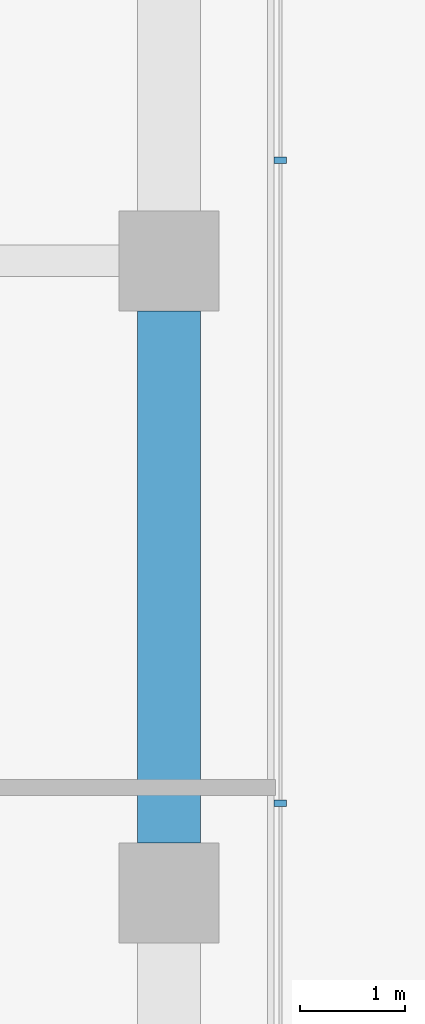
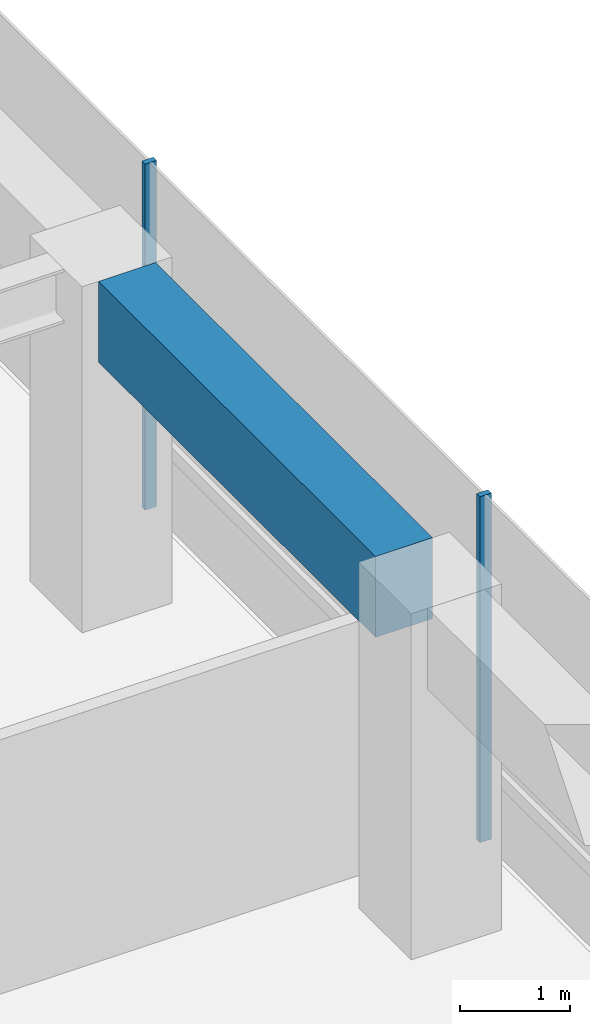
# One storey, part 18 of 28: 2 members, 1 beam, 1 element without a shape of its own.
"""IFC4 building model written with IfcOpenShell, lengths in metres."""

from ifc_helpers import new_model, si_unit, direction, frame, origin, origin_2d, place, context, subcontext, project, spatial, rectangle, extrude, material, layer, layer_set, material_profile, profile_set, type_object, element, aggregate, save


model = new_model("IFC4")

# Units and contexts
model_context = context("Model", 3, precision=1e-05, world=origin(), true_north=direction((0.0, 1.0)))
body_context = subcontext(model_context, "Body", "Model", "MODEL_VIEW")
ifc_project = project(units=[si_unit("LENGTHUNIT", "METRE"), si_unit("AREAUNIT", "SQUARE_METRE"), si_unit("VOLUMEUNIT", "CUBIC_METRE"), si_unit("PLANEANGLEUNIT", "RADIAN"), si_unit("MASSUNIT", "GRAM", prefix="KILO")], contexts=[model_context])

# Site, building, storey
site_placement = place(None, origin())
site = spatial("IfcSite", under=ifc_project, at=site_placement, CompositionType="ELEMENT")
building_placement = place(site_placement, origin())
building = spatial("IfcBuilding", under=site, at=building_placement, Name="Welwitschia Terrace Campus", CompositionType="ELEMENT")
storey_placement = place(building_placement, frame((0.0, 0.0, 54.199951171875)))
storey = spatial("IfcBuildingStorey", under=building, at=storey_placement, Name="L12", CompositionType="ELEMENT", Elevation=54.199951171875)

# Curtain wall, members
ifc_material_1 = material(Name="Bronze anodised aluminium", Category="aluminium")
ifc_layer = layer(ifc_material_1, 0.1201171875)
ifc_layer_set = layer_set([ifc_layer], Name="Bronze anodised aluminium")
curtain_wall_type = type_object("IfcCurtainWallType", Name="Curtain wall CW2 tower 6000", PredefinedType="NOTDEFINED", material=ifc_layer_set)
curtain_wall_placement = place(storey_placement, origin())
curtain_wall = element("IfcCurtainWall", 1, at=curtain_wall_placement, inside=storey, type_object=curtain_wall_type, Name="CW L12.10.0", PredefinedType="NOTDEFINED")
ifc_material_2 = material(Name="Bronze anodised aluminium", Category="aluminium")
ifc_material_profile_1 = material_profile(ifc_material_2, rectangle(XDim=0.1201171875, YDim=0.06005859375, at=origin_2d()))
ifc_profile_set_1 = profile_set([ifc_material_profile_1], Name="Bronze anodised aluminium")
member_type = type_object("IfcMemberType", Name="Mullion 60x120", PredefinedType="MULLION", material=ifc_profile_set_1)
member_1_placement = place(storey_placement, frame((25.05810546875, 50.851806640625, 0.0), z_axis=(0.0, 0.0, 1.0), x_axis=(-1.0, 0.0, 0.0)))
member_1 = element("IfcMember", 2, at=member_1_placement, type_object=member_type, Name="Mullion L12.10.0.4", PredefinedType="MULLION", context=body_context, shape_type="SweptSolid", body=[
    extrude(rectangle(XDim=0.1201171875, YDim=0.06005859375, at=origin_2d()), origin(), (0.0, 0.0, 1.0), 3.85009765625),
])
member_2_placement = place(storey_placement, frame((25.05810546875, 56.955078125, 0.0), z_axis=(0.0, 0.0, 1.0), x_axis=(-1.0, 0.0, 0.0)))
member_2 = element("IfcMember", 3, at=member_2_placement, type_object=member_type, Name="Mullion L12.10.0.5", PredefinedType="MULLION", context=body_context, shape_type="SweptSolid", body=[
    extrude(rectangle(XDim=0.1201171875, YDim=0.06005859375, at=origin_2d()), origin(), (0.0, 0.0, 1.0), 3.85009765625),
])
aggregate(curtain_wall, [member_1, member_2])

# Beam
ifc_material_3 = material(Name="Concrete C60/75", Category="concrete")
ifc_material_profile_2 = material_profile(ifc_material_3, rectangle(XDim=0.60009765625, YDim=0.89990234375, at=origin_2d()))
ifc_profile_set_2 = profile_set([ifc_material_profile_2], Name="Concrete C60/75")
beam_type = type_object("IfcBeamType", Name="Ring spandrel 600x900", PredefinedType="SPANDREL", material=ifc_profile_set_2)
beam_placement = place(storey_placement, frame((24.0, 50.4755859375, 3.400146484375), z_axis=(0.0, 1.0, 0.0), x_axis=(-1.0, 0.0, 0.0)))
element("IfcBeam", 4, at=beam_placement, inside=storey, type_object=beam_type, Name="Spandrel SP2", PredefinedType="SPANDREL", context=body_context, shape_type="SweptSolid", body=[
    extrude(rectangle(XDim=0.60009765625, YDim=0.89990234375, at=origin_2d()), origin(), (0.0, 0.0, 1.0), 5.048828125),
])

save(model, "model.ifc")
